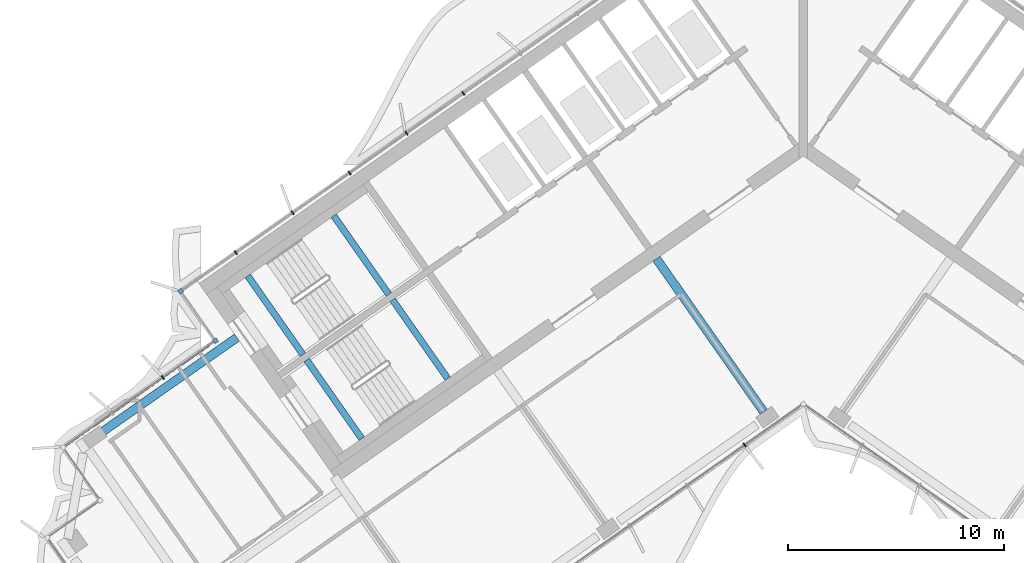
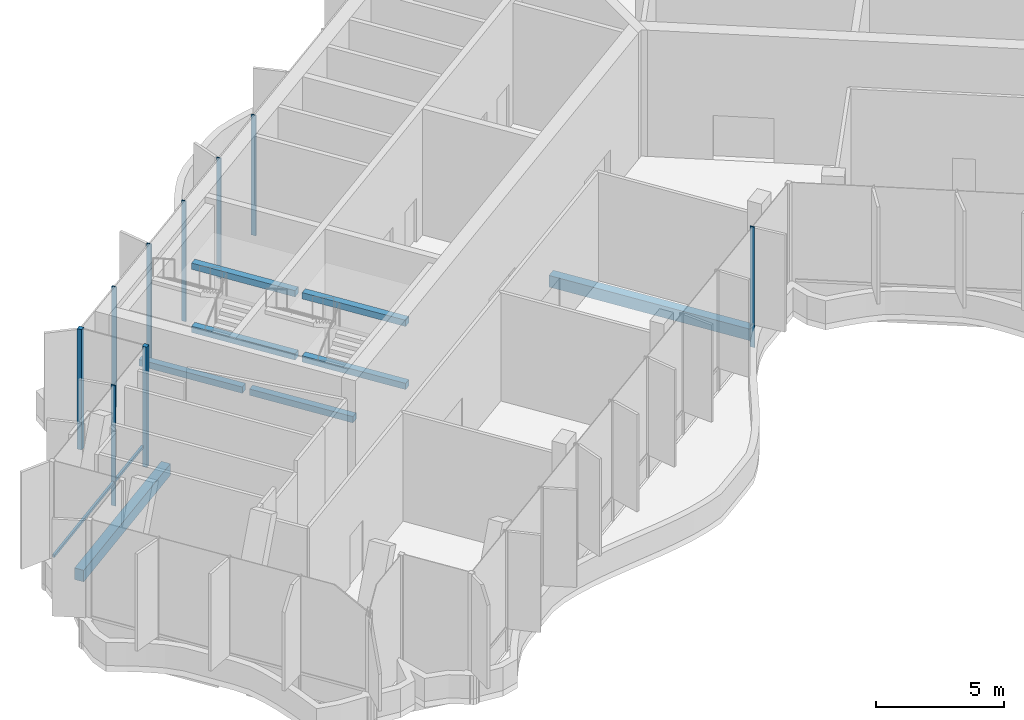
# One storey, part 4 of 22: 10 members, 8 beams, 2 elements without a shape of their own.
"""IFC4 building model written with IfcOpenShell, lengths in metres."""

import ifcopenshell
import ifcopenshell.guid

model = None  # the IFC model being written
_history = None  # IfcOwnerHistory: only IFC2X3 demands one
_inside = {}  # id of a spatial element -> (the spatial element, [elements in it])
_under = {}  # id of a project, library or spatial element -> (it, [spatial elements below it])
_declared = {}  # id of a project -> (the project, [libraries it declares])
_typed = {}  # id of a type object -> (the type object, [elements of that type])
_made_of = {}  # id of a material, layer set ... -> (it, [elements and type objects made of it])


def new_model(schema):
    """Start an empty IFC model of exactly this schema.

    Asked for "IFC4X3", IfcOpenShell would pick the latest addendum, in which some entities
    have other attributes; the version numbers below select the first issue.
    IFC2X3 requires an IfcOwnerHistory on every rooted entity: one is made here for all.
    """
    global model, _history
    if schema == "IFC4X3":
        model = ifcopenshell.file(schema_version=(4, 3, 0, 0))
    else:
        model = ifcopenshell.file(schema=schema)
    _inside.clear()
    _under.clear()
    _declared.clear()
    _typed.clear()
    _made_of.clear()
    _history = None
    if model.schema == "IFC2X3":
        org = make("IfcOrganization", Name="unknown")
        user = make(
            "IfcPersonAndOrganization",
            ThePerson=make("IfcPerson", FamilyName="unknown"),
            TheOrganization=org,
        )
        app = make(
            "IfcApplication",
            ApplicationDeveloper=org,
            Version="unknown",
            ApplicationFullName="unknown",
            ApplicationIdentifier="unknown",
        )
        _history = make(
            "IfcOwnerHistory",
            OwningUser=user,
            OwningApplication=app,
            ChangeAction="ADDED",
            CreationDate=0,
        )
    return model


def make(cls, **values):
    """One entity of the class cls with the attributes given. An attribute that is None is left unset."""
    return model.create_entity(
        cls, **{name: value for name, value in values.items() if value is not None}
    )


def rooted(cls, **values):
    """An entity with a GlobalId (a new one), such as an element, a storey or a relation."""
    return make(cls, GlobalId=ifcopenshell.guid.new(), OwnerHistory=_history, **values)


def si_unit(unit_type, name, prefix=None):
    """IfcSIUnit, for example si_unit("LENGTHUNIT", "METRE", prefix="MILLI")."""
    return make("IfcSIUnit", UnitType=unit_type, Prefix=prefix, Name=name)


def assignment(units):
    """IfcUnitAssignment: the units of a project."""
    return None if units is None else make("IfcUnitAssignment", Units=units)


def point(xyz):
    """IfcCartesianPoint."""
    return None if xyz is None else make("IfcCartesianPoint", Coordinates=xyz)


def direction(xyz):
    """IfcDirection."""
    return None if xyz is None else make("IfcDirection", DirectionRatios=xyz)


def frame(location, z_axis=None, x_axis=None):
    """IfcAxis2Placement3D, a coordinate frame: its origin and axes. An axis left out is left unset."""
    return make(
        "IfcAxis2Placement3D",
        Location=point(location),
        Axis=direction(z_axis),
        RefDirection=direction(x_axis),
    )


def frame_2d(location, x_axis=None):
    """IfcAxis2Placement2D, a coordinate frame in the plane: its origin and x axis."""
    return make(
        "IfcAxis2Placement2D", Location=point(location), RefDirection=direction(x_axis)
    )


def origin():
    """The frame at (0, 0, 0) with its axes left unset."""
    return frame((0.0, 0.0, 0.0))


def origin_2d():
    """The frame at (0, 0) in the plane with its x axis left unset."""
    return frame_2d((0.0, 0.0))


def place(relative_to, where):
    """IfcLocalPlacement: puts the frame where relative to a parent placement (None: the world)."""
    return make(
        "IfcLocalPlacement", PlacementRelTo=relative_to, RelativePlacement=where
    )


def context(
    kind, dimensions, precision=None, world=None, true_north=None, identifier=None
):
    """IfcGeometricRepresentationContext, for example the 3D "Model" context."""
    return make(
        "IfcGeometricRepresentationContext",
        ContextIdentifier=identifier,
        ContextType=kind,
        CoordinateSpaceDimension=dimensions,
        Precision=precision,
        WorldCoordinateSystem=world,
        TrueNorth=true_north,
    )


def subcontext(parent, identifier, kind, view, scale=None):
    """IfcGeometricRepresentationSubContext, for example "Body" below "Model"."""
    return make(
        "IfcGeometricRepresentationSubContext",
        ContextIdentifier=identifier,
        ContextType=kind,
        ParentContext=parent,
        TargetScale=scale,
        TargetView=view,
    )


def project(units=None, contexts=None):
    """IfcProject with its units and contexts."""
    return rooted(
        "IfcProject",
        Name="project",
        RepresentationContexts=contexts,
        UnitsInContext=assignment(units),
    )


def spatial(cls, under=None, at=None, **own):
    """A site, building, storey or space (cls), placed at a placement, below another one or the project."""
    s = rooted(cls, ObjectPlacement=at, **own)
    if under is not None:
        _under.setdefault(under.id(), (under, []))[1].append(s)
    return s


def profile(cls, at=None, kind="AREA", **sizes):
    """A parametric profile (cls). Its sizes go by their IFC names, for example OverallWidth=200.0."""
    return make(cls, ProfileType=kind, Position=at, **sizes)


def rectangle(**sizes):
    """IfcRectangleProfileDef."""
    return profile("IfcRectangleProfileDef", **sizes)


def extrude(swept, where, along, depth):
    """IfcExtrudedAreaSolid: the profile swept, set in the frame where, extruded along a direction by depth."""
    return make(
        "IfcExtrudedAreaSolid",
        SweptArea=swept,
        Position=where,
        ExtrudedDirection=direction(along),
        Depth=depth,
    )


def shape(context_of_items, identifier, shape_type, items):
    """IfcShapeRepresentation: the items that make up one representation, for example the "Body"."""
    return make(
        "IfcShapeRepresentation",
        ContextOfItems=context_of_items,
        RepresentationIdentifier=identifier,
        RepresentationType=shape_type,
        Items=items,
    )


def material(Name=None, Category=None):
    """IfcMaterial."""
    return make("IfcMaterial", Name=Name, Category=Category)


def material_profile(
    of_material, cross_section, Name=None, Category=None, Priority=None
):
    """IfcMaterialProfile: a cross section and its material."""
    return make(
        "IfcMaterialProfile",
        Name=Name,
        Material=of_material,
        Profile=cross_section,
        Priority=Priority,
        Category=Category,
    )


def profile_set(profiles, Name=None, composite=None):
    """IfcMaterialProfileSet."""
    return make(
        "IfcMaterialProfileSet",
        Name=Name,
        MaterialProfiles=profiles,
        CompositeProfile=composite,
    )


def made_of(thing, what):
    """Note that an element or type object is made of a material, layer set ...; save() writes the relation."""
    if what is not None:
        _made_of.setdefault(what.id(), (what, []))[1].append(thing)
    return thing


def type_object(cls, material=None, **own):
    """A type object (cls), such as IfcWallType, which elements share."""
    return made_of(rooted(cls, **own), material)


def element(
    cls,
    number,
    at=None,
    inside=None,
    cuts=None,
    type_object=None,
    material=None,
    context=None,
    identifier="Body",
    shape_type=None,
    held_by="IfcProductDefinitionShape",
    body=None,
    shapes=None,
    **own,
):
    """One element of the class cls, such as IfcWall. Its Tag is "e" and its number.

    at: its placement. inside: the storey or other place that contains it. cuts: it is an
    opening in that element (IfcRelVoidsElement). A single representation is given by context,
    identifier, shape_type and body (its items); several are given by shapes. held_by: the class
    of the entity that holds the representations. save() writes the other relations.
    """
    e = rooted(cls, Tag="e%d" % number, ObjectPlacement=at, **own)
    if body is not None:
        shapes = [shape(context, identifier, shape_type, body)]
    if shapes is not None:
        e.Representation = make(held_by, Representations=shapes)
    if inside is not None:
        _inside.setdefault(inside.id(), (inside, []))[1].append(e)
    if cuts is not None:
        rooted(
            "IfcRelVoidsElement", RelatingBuildingElement=cuts, RelatedOpeningElement=e
        )
    if type_object is not None:
        _typed.setdefault(type_object.id(), (type_object, []))[1].append(e)
    return made_of(e, material)


def aggregate(whole, parts):
    """IfcRelAggregates: a whole, such as a stair, and the parts it consists of."""
    return rooted("IfcRelAggregates", RelatingObject=whole, RelatedObjects=parts)


def save(model, path):
    """Write the relations noted so far, then the file.

    IfcRelAggregates (storeys below a building ...), IfcRelContainedInSpatialStructure (elements
    in a storey), IfcRelDefinesByType, IfcRelAssociatesMaterial and IfcRelDeclares: one each for
    every whole, place, type object, material and project.
    """
    for whole, parts in _under.values():
        aggregate(whole, parts)
    for where, things in _inside.values():
        rooted(
            "IfcRelContainedInSpatialStructure",
            RelatedElements=things,
            RelatingStructure=where,
        )
    for kind, things in _typed.values():
        rooted("IfcRelDefinesByType", RelatedObjects=things, RelatingType=kind)
    for what, things in _made_of.values():
        rooted("IfcRelAssociatesMaterial", RelatedObjects=things, RelatingMaterial=what)
    for by, libraries in _declared.values():
        rooted("IfcRelDeclares", RelatingContext=by, RelatedDefinitions=libraries)
    model.write(path)


model = new_model("IFC4")

# Units and contexts
model_context = context("Model", 3, precision=1e-05, world=origin(), true_north=direction((0.0, 1.0)))
body_context = subcontext(model_context, "Body", "Model", "MODEL_VIEW")
ifc_project = project(units=[si_unit("LENGTHUNIT", "METRE"), si_unit("AREAUNIT", "SQUARE_METRE"), si_unit("VOLUMEUNIT", "CUBIC_METRE"), si_unit("PLANEANGLEUNIT", "RADIAN"), si_unit("MASSUNIT", "GRAM", prefix="KILO")], contexts=[model_context])

# Site, building, storey
site_placement = place(None, origin())
site = spatial("IfcSite", under=ifc_project, at=site_placement, CompositionType="ELEMENT")
building_placement = place(site_placement, origin())
building = spatial("IfcBuilding", under=site, at=building_placement, Name="Tel Ilan Convention Tower", CompositionType="ELEMENT")
storey_placement = place(building_placement, frame((0.0, 0.0, 219.39990234375)))
storey = spatial("IfcBuildingStorey", under=building, at=storey_placement, Name="L51", CompositionType="ELEMENT", Elevation=219.39990234375)

# Beams
ifc_material_1 = material(Name="Concrete C40/50", Category="concrete")
ifc_material_profile_1 = material_profile(ifc_material_1, rectangle(XDim=0.39990234375, YDim=0.550048828125, at=origin_2d()), Name="RC 400x550")
ifc_profile_set_1 = profile_set([ifc_material_profile_1], Name="Concrete C40/50")
beam_type_1 = type_object("IfcBeamType", Name="Beam RC 400x550 Concrete C40/50", PredefinedType="BEAM", material=ifc_profile_set_1)
beam_1_placement = place(storey_placement, frame((-32.771484375, -14.21826171875, -0.554931640625), z_axis=(0.819151624752, 0.573577035512, 0.0), x_axis=(-0.573577035512, 0.819151624752, 0.0)))
element("IfcBeam", 1, at=beam_1_placement, inside=storey, type_object=beam_type_1, Name="L51 beam W-W-BC-core", PredefinedType="BEAM", context=body_context, shape_type="SweptSolid", body=[
    extrude(rectangle(XDim=0.39990234375, YDim=0.550048828125, at=origin_2d()), origin(), (0.0, 0.0, 1.0), 8.0),
])
beam_2_placement = place(storey_placement, frame((-1.83740234375, -13.06689453125, -0.554931640625), z_axis=(-0.573574099654, 0.819153680457, 0.0), x_axis=(-0.819153680457, -0.573574099654, 0.0)))
element("IfcBeam", 2, at=beam_2_placement, inside=storey, type_object=beam_type_1, Name="L51 beam W-W-F1-core", PredefinedType="BEAM", context=body_context, shape_type="SweptSolid", body=[
    extrude(rectangle(XDim=0.39990234375, YDim=0.550048828125, at=origin_2d()), origin(), (0.0, 0.0, 1.0), 8.64990234375),
])

# Curtain wall, members
ifc_material_2 = material(Name="Aluminium, bronze anodised", Category="aluminium")
curtain_wall_type_1 = type_object("IfcCurtainWallType", Name="CW2 STICK CURTAIN WALL, SPANDREL PANELS", PredefinedType="NOTDEFINED", material=ifc_material_2)
curtain_wall_1_placement = place(storey_placement, origin())
curtain_wall_1 = element("IfcCurtainWall", 3, at=curtain_wall_1_placement, inside=storey, type_object=curtain_wall_type_1, Name="Curtain wall CW2-40.01", PredefinedType="NOTDEFINED")
ifc_material_3 = material(Name="Aluminium, bronze anodised", Category="aluminium")
ifc_material_profile_2 = material_profile(ifc_material_3, rectangle(XDim=0.199951171875, YDim=0.199951171875, at=origin_2d()), Name="CW CORNER MULLION 200x200")
ifc_profile_set_2 = profile_set([ifc_material_profile_2], Name="Aluminium, bronze anodised")
member_type_1 = type_object("IfcMemberType", Name="CW CORNER MULLION 200x200", PredefinedType="MULLION", material=ifc_profile_set_2)
member_1_placement = place(storey_placement, frame((-28.819580078125, -7.483642578125, 0.0), z_axis=(0.0, 0.0, 1.0), x_axis=(-0.819152044289, -0.573576436351, 0.0)))
member_1 = element("IfcMember", 4, at=member_1_placement, type_object=member_type_1, Name="Corner mullion", PredefinedType="MULLION", context=body_context, shape_type="SweptSolid", body=[
    extrude(rectangle(XDim=0.199951171875, YDim=0.199951171875, at=origin_2d()), origin(), (0.0, 0.0, 1.0), 5.72021484375),
])
member_2_placement = place(storey_placement, frame((-27.213623046875, -9.77734375, 0.0), z_axis=(0.0, 0.0, 1.0), x_axis=(0.573576436351, -0.819152044289, 0.0)))
member_2 = element("IfcMember", 5, at=member_2_placement, type_object=member_type_1, Name="Corner mullion", PredefinedType="MULLION", context=body_context, shape_type="SweptSolid", body=[
    extrude(rectangle(XDim=0.199951171875, YDim=0.199951171875, at=origin_2d()), origin(), (0.0, 0.0, 1.0), 5.72021484375),
])
ifc_material_4 = material(Name="Aluminium, bronze anodised", Category="aluminium")
ifc_material_profile_3 = material_profile(ifc_material_4, rectangle(XDim=0.06005859375, YDim=0.199951171875, at=origin_2d()), Name="CW MULLION 60x200")
ifc_profile_set_3 = profile_set([ifc_material_profile_3], Name="Aluminium, bronze anodised")
member_type_2 = type_object("IfcMemberType", Name="CW MULLION 60x200", PredefinedType="MULLION", material=ifc_profile_set_3)
member_3_placement = place(storey_placement, frame((-15.73828125, 1.676025390625, 0.0), z_axis=(0.0, 0.0, 1.0), x_axis=(-0.819152044289, -0.573576436351, 0.0)))
member_3 = element("IfcMember", 6, at=member_3_placement, type_object=member_type_2, Name="Mullion", PredefinedType="MULLION", context=body_context, shape_type="SweptSolid", body=[
    extrude(rectangle(XDim=0.06005859375, YDim=0.199951171875, at=origin_2d()), origin(), (0.0, 0.0, 1.0), 5.72021484375),
])
member_4_placement = place(storey_placement, frame((-18.37109375, -0.16748046875, 0.0), z_axis=(0.0, 0.0, 1.0), x_axis=(-0.819152044289, -0.573576436351, 0.0)))
member_4 = element("IfcMember", 7, at=member_4_placement, type_object=member_type_2, Name="Mullion", PredefinedType="MULLION", context=body_context, shape_type="SweptSolid", body=[
    extrude(rectangle(XDim=0.06005859375, YDim=0.199951171875, at=origin_2d()), origin(), (0.0, 0.0, 1.0), 5.72021484375),
])
member_5_placement = place(storey_placement, frame((-21.003662109375, -2.0107421875, 0.0), z_axis=(0.0, 0.0, 1.0), x_axis=(-0.819152044289, -0.573576436351, 0.0)))
member_5 = element("IfcMember", 8, at=member_5_placement, type_object=member_type_2, Name="Mullion", PredefinedType="MULLION", context=body_context, shape_type="SweptSolid", body=[
    extrude(rectangle(XDim=0.06005859375, YDim=0.199951171875, at=origin_2d()), origin(), (0.0, 0.0, 1.0), 5.72021484375),
])
member_6_placement = place(storey_placement, frame((-23.63623046875, -3.854248046875, 0.0), z_axis=(0.0, 0.0, 1.0), x_axis=(-0.819152044289, -0.573576436351, 0.0)))
member_6 = element("IfcMember", 9, at=member_6_placement, type_object=member_type_2, Name="Mullion", PredefinedType="MULLION", context=body_context, shape_type="SweptSolid", body=[
    extrude(rectangle(XDim=0.06005859375, YDim=0.199951171875, at=origin_2d()), origin(), (0.0, 0.0, 1.0), 5.72021484375),
])
member_7_placement = place(storey_placement, frame((-26.268798828125, -5.697509765625, 0.0), z_axis=(0.0, 0.0, 1.0), x_axis=(-0.819152044289, -0.573576436351, 0.0)))
member_7 = element("IfcMember", 10, at=member_7_placement, type_object=member_type_2, Name="Mullion", PredefinedType="MULLION", context=body_context, shape_type="SweptSolid", body=[
    extrude(rectangle(XDim=0.06005859375, YDim=0.199951171875, at=origin_2d()), origin(), (0.0, 0.0, 1.0), 5.72021484375),
])
aggregate(curtain_wall_1, [member_3, member_4, member_5, member_6, member_7, member_1, member_2])

ifc_material_5 = material(Name="Aluminium, bronze anodised", Category="aluminium")
curtain_wall_type_2 = type_object("IfcCurtainWallType", Name="CW5 STICK CURTAIN WALL, UPPER OFFICE LOW-IRON TINTED GLASS", PredefinedType="NOTDEFINED", material=ifc_material_5)
curtain_wall_2_placement = place(storey_placement, origin())
curtain_wall_2 = element("IfcCurtainWall", 11, at=curtain_wall_2_placement, inside=storey, type_object=curtain_wall_type_2, Name="Curtain wall CW5-40.02", PredefinedType="NOTDEFINED")
member_8_placement = place(storey_placement, frame((-29.6435546875, -11.478759765625, 0.0), z_axis=(0.0, 0.0, 1.0), x_axis=(-0.819152044289, -0.573576436351, 0.0)))
member_8 = element("IfcMember", 12, at=member_8_placement, type_object=member_type_2, Name="Mullion", PredefinedType="MULLION", context=body_context, shape_type="SweptSolid", body=[
    extrude(rectangle(XDim=0.06005859375, YDim=0.199951171875, at=origin_2d()), origin(), (0.0, 0.0, 1.0), 5.72021484375),
])
member_9_placement = place(storey_placement, frame((-2.719482421875, -14.60009765625, 0.0), z_axis=(0.0, 0.0, 1.0), x_axis=(0.819152044289, 0.573576436351, 0.0)))
member_9 = element("IfcMember", 13, at=member_9_placement, type_object=member_type_2, Name="Mullion", PredefinedType="MULLION", context=body_context, shape_type="SweptSolid", body=[
    extrude(rectangle(XDim=0.06005859375, YDim=0.199951171875, at=origin_2d()), origin(), (0.0, 0.0, 1.0), 5.72021484375),
])
ifc_material_6 = material(Name="Aluminium, bronze anodised", Category="aluminium")
ifc_material_profile_4 = material_profile(ifc_material_6, rectangle(XDim=0.10009765625, YDim=0.1201171875, at=origin_2d()), Name="CW TRANSOM 100x120")
ifc_profile_set_4 = profile_set([ifc_material_profile_4], Name="Aluminium, bronze anodised")
member_type_3 = type_object("IfcMemberType", Name="CW TRANSOM 100x120", PredefinedType="USERDEFINED", material=ifc_profile_set_4)
member_10_placement = place(storey_placement, frame((-27.459228515625, -9.94921875, 1.10009765625), z_axis=(-0.819149386388, -0.573580232209, 0.0), x_axis=(0.573580232209, -0.819149386388, 0.0)))
member_10 = element("IfcMember", 14, at=member_10_placement, type_object=member_type_3, Name="Transom", ObjectType="TRANSOM", PredefinedType="USERDEFINED", context=body_context, shape_type="SweptSolid", body=[
    extrude(rectangle(XDim=0.10009765625, YDim=0.1201171875, at=origin_2d()), origin(), (0.0, 0.0, 1.0), 8.199951171875),
])
aggregate(curtain_wall_2, [member_8, member_10, member_9])

# Beams
ifc_material_7 = material(Name="Concrete C40/50", Category="concrete")
ifc_material_profile_5 = material_profile(ifc_material_7, rectangle(XDim=0.300048828125, YDim=0.300048828125, at=origin_2d()), Name="RC 300x300")
ifc_profile_set_5 = profile_set([ifc_material_profile_5], Name="Concrete C40/50")
beam_type_2 = type_object("IfcBeamType", Name="Landing Beam RC 300x300 Concrete C40/50", PredefinedType="BEAM", material=ifc_profile_set_5)
beam_3_placement = place(storey_placement, frame((-19.185791015625, -7.63525390625, 1.150146484375), z_axis=(-0.573547030514, 0.819172633691, 0.0), x_axis=(-0.819172633691, -0.573547030514, 0.0)))
element("IfcBeam", 15, at=beam_3_placement, inside=storey, type_object=beam_type_2, Name="S1 landing beam L51.1", PredefinedType="BEAM", context=body_context, shape_type="SweptSolid", body=[
    extrude(rectangle(XDim=0.300048828125, YDim=0.300048828125, at=origin_2d()), origin(), (0.0, 0.0, 1.0), 4.449951171875),
])
beam_4_placement = place(storey_placement, frame((-23.162109375, -10.41943359375, 2.650146484375), z_axis=(-0.573572808308, 0.81915458466, 0.0), x_axis=(-0.81915458466, -0.573572808308, 0.0)))
element("IfcBeam", 16, at=beam_4_placement, inside=storey, type_object=beam_type_2, Name="S1 landing beam L51.2", PredefinedType="BEAM", context=body_context, shape_type="SweptSolid", body=[
    extrude(rectangle(XDim=0.300048828125, YDim=0.300048828125, at=origin_2d()), origin(), (0.0, 0.0, 1.0), 4.44970703125),
])
for number, where, z_axis, x_axis, name in (
    (17, (-19.185791015625, -7.63525390625, 4.150146484375), (-0.573547030514, 0.819172633691, 0.0), (-0.819172633691, -0.573547030514, 0.0), "S1 landing beam L51.3"),
    (18, (-16.461181640625, -11.526123046875, 1.150146484375), (-0.573609622671, 0.819128805976, 0.0), (-0.819128805976, -0.573609622671, 0.0), "S2 landing beam L51.1"),
):
    element("IfcBeam", number, at=place(storey_placement, frame(where, z_axis=z_axis, x_axis=x_axis)), inside=storey, type_object=beam_type_2, Name=name, PredefinedType="BEAM", context=body_context, shape_type="SweptSolid", body=[
        extrude(rectangle(XDim=0.300048828125, YDim=0.300048828125, at=origin_2d()), origin(), (0.0, 0.0, 1.0), 4.449951171875),
    ])
beam_5_placement = place(storey_placement, frame((-20.4375, -14.310546875, 2.650146484375), z_axis=(-0.573583844845, 0.819146856756, 0.0), x_axis=(-0.819146856756, -0.573583844845, 0.0)))
element("IfcBeam", 19, at=beam_5_placement, inside=storey, type_object=beam_type_2, Name="S2 landing beam L51.2", PredefinedType="BEAM", context=body_context, shape_type="SweptSolid", body=[
    extrude(rectangle(XDim=0.300048828125, YDim=0.300048828125, at=origin_2d()), origin(), (0.0, 0.0, 1.0), 4.4501953125),
])
beam_6_placement = place(storey_placement, frame((-16.461181640625, -11.526123046875, 4.150146484375), z_axis=(-0.573609622671, 0.819128805976, 0.0), x_axis=(-0.819128805976, -0.573609622671, 0.0)))
element("IfcBeam", 20, at=beam_6_placement, inside=storey, type_object=beam_type_2, Name="S2 landing beam L51.3", PredefinedType="BEAM", context=body_context, shape_type="SweptSolid", body=[
    extrude(rectangle(XDim=0.300048828125, YDim=0.300048828125, at=origin_2d()), origin(), (0.0, 0.0, 1.0), 4.449951171875),
])

save(model, "model.ifc")
